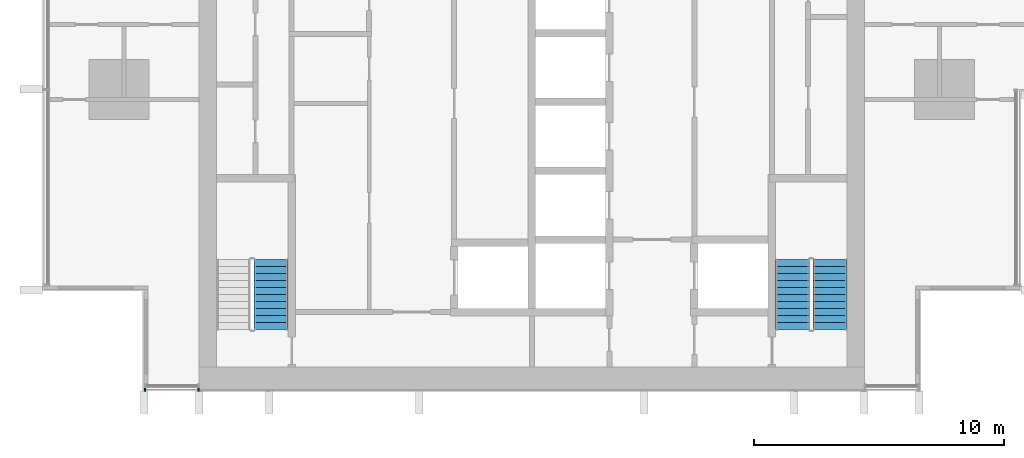
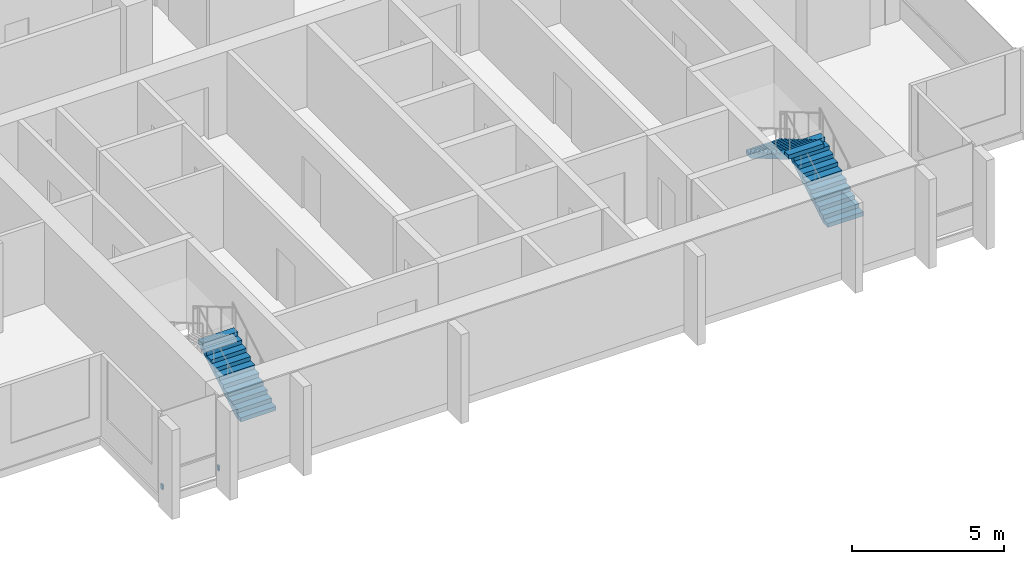
# One storey, part 12 of 17: 3 stair flights, 2 discrete accessories, 2 elements without a shape of their own.
"""IFC4 building model written with IfcOpenShell, lengths in metres."""

from ifc_helpers import new_model, si_unit, direction, frame, origin, origin_2d, place, context, subcontext, project, spatial, polyline, rectangle, outline, extrude, material, type_object, element, aggregate, save


model = new_model("IFC4")

# Units and contexts
model_context = context("Model", 3, precision=1e-05, world=origin(), true_north=direction((0.0, 1.0)))
body_context = subcontext(model_context, "Body", "Model", "MODEL_VIEW")
ifc_project = project(units=[si_unit("LENGTHUNIT", "METRE"), si_unit("AREAUNIT", "SQUARE_METRE"), si_unit("VOLUMEUNIT", "CUBIC_METRE"), si_unit("PLANEANGLEUNIT", "RADIAN"), si_unit("MASSUNIT", "GRAM", prefix="KILO")], contexts=[model_context])

# Site, building, storey
site_placement = place(None, origin())
site = spatial("IfcSite", under=ifc_project, at=site_placement, CompositionType="ELEMENT")
building_placement = place(site_placement, origin())
building = spatial("IfcBuilding", under=site, at=building_placement, Name="Finial Court Residences", CompositionType="ELEMENT")
storey_placement = place(building_placement, frame((0.0, 0.0, 192.5)))
storey = spatial("IfcBuildingStorey", under=building, at=storey_placement, Name="L48", CompositionType="ELEMENT", Elevation=192.5)

# Stair, stair flight
ifc_material_1 = material(Name="Concrete C50/60", Category="concrete")
stair_type = type_object("IfcStairType", Name="Exit stair 22 risers of 163.6 mm", PredefinedType="HALF_TURN_STAIR", material=ifc_material_1)
stair_1_placement = place(storey_placement, origin())
stair_1 = element("IfcStair", 1, at=stair_1_placement, inside=storey, type_object=stair_type, Name="L48 Exit stair ST-1", PredefinedType="HALF_TURN_STAIR")
stair_flight_type = type_object("IfcStairFlightType", Name="Exit stair flight", PredefinedType="STRAIGHT", material=ifc_material_1)
stair_flight_1_placement = place(storey_placement, frame((-10.425048828125, -23.10009765625, 0.0), z_axis=(0.0, 0.0, 1.0), x_axis=(0.0, 1.0, 0.0)))
stair_flight_1 = element("IfcStairFlight", 2, at=stair_flight_1_placement, type_object=stair_flight_type, Name="ST-1 flight 1", NumberOfRisers=11, NumberOfTreads=10, PredefinedType="STRAIGHT", RiserHeight=0.163636364, TreadLength=0.28, context=body_context, shape_type="SweptSolid", body=[
    extrude(outline(polyline([(0.0, 0.0), (0.0, 0.16357421875), (0.280029296875, 0.16357421875), (0.280029296875, 0.327392578125), (0.56005859375, 0.327392578125), (0.56005859375, 0.490966796875), (0.840087890625, 0.490966796875), (0.840087890625, 0.654541015625), (1.1201171875, 0.654541015625), (1.1201171875, 0.818115234375), (1.39990234375, 0.818115234375), (1.39990234375, 0.98193359375), (1.679931640625, 0.98193359375), (1.679931640625, 1.1455078125), (1.9599609375, 1.1455078125), (1.9599609375, 1.30908203125), (2.239990234375, 1.30908203125), (2.239990234375, 1.47265625), (2.52001953125, 1.47265625), (2.52001953125, 1.636474609375), (2.800048828125, 1.636474609375), (2.800048828125, 1.800048828125), (2.800048828125, 1.462646484375), (0.297119140625, 0.0), (0.0, 0.0)])), frame((0.0, 0.675048828125, 0.0), z_axis=(0.0, -1.0, 0.0), x_axis=(1.0, 0.0, 0.0)), (0.0, 0.0, 1.0), 1.35009765625),
])
aggregate(stair_1, [stair_flight_1])

# Stair, stair flights
stair_2_placement = place(storey_placement, origin())
stair_2 = element("IfcStair", 3, at=stair_2_placement, inside=storey, type_object=stair_type, Name="L48 Exit stair ST-2", PredefinedType="HALF_TURN_STAIR")
stair_flight_2_placement = place(storey_placement, frame((11.925048828125, -23.10009765625, 0.0), z_axis=(0.0, 0.0, 1.0), x_axis=(0.0, 1.0, 0.0)))
stair_flight_2 = element("IfcStairFlight", 4, at=stair_flight_2_placement, type_object=stair_flight_type, Name="ST-2 flight 1", NumberOfRisers=11, NumberOfTreads=10, PredefinedType="STRAIGHT", RiserHeight=0.163636364, TreadLength=0.28, context=body_context, shape_type="SweptSolid", body=[
    extrude(outline(polyline([(0.0, 0.0), (0.0, 0.16357421875), (0.280029296875, 0.16357421875), (0.280029296875, 0.327392578125), (0.56005859375, 0.327392578125), (0.56005859375, 0.490966796875), (0.840087890625, 0.490966796875), (0.840087890625, 0.654541015625), (1.1201171875, 0.654541015625), (1.1201171875, 0.818115234375), (1.39990234375, 0.818115234375), (1.39990234375, 0.98193359375), (1.679931640625, 0.98193359375), (1.679931640625, 1.1455078125), (1.9599609375, 1.1455078125), (1.9599609375, 1.30908203125), (2.239990234375, 1.30908203125), (2.239990234375, 1.47265625), (2.52001953125, 1.47265625), (2.52001953125, 1.636474609375), (2.800048828125, 1.636474609375), (2.800048828125, 1.800048828125), (2.800048828125, 1.462646484375), (0.297119140625, 0.0), (0.0, 0.0)])), frame((0.0, 0.675048828125, 0.0), z_axis=(0.0, -1.0, 0.0), x_axis=(1.0, 0.0, 0.0)), (0.0, 0.0, 1.0), 1.35009765625),
])
stair_flight_3_placement = place(storey_placement, frame((10.425048828125, -20.300048828125, 1.800048828125), z_axis=(0.0, 0.0, 1.0), x_axis=(0.0, -1.0, 0.0)))
stair_flight_3 = element("IfcStairFlight", 5, at=stair_flight_3_placement, type_object=stair_flight_type, Name="ST-2 flight 2", NumberOfRisers=11, NumberOfTreads=10, PredefinedType="STRAIGHT", RiserHeight=0.163636364, TreadLength=0.28, context=body_context, shape_type="SweptSolid", body=[
    extrude(outline(polyline([(0.0, 0.0), (0.0, 0.16357421875), (0.280029296875, 0.16357421875), (0.280029296875, 0.327392578125), (0.56005859375, 0.327392578125), (0.56005859375, 0.490966796875), (0.840087890625, 0.490966796875), (0.840087890625, 0.654541015625), (1.1201171875, 0.654541015625), (1.1201171875, 0.818115234375), (1.39990234375, 0.818115234375), (1.39990234375, 0.98193359375), (1.679931640625, 0.98193359375), (1.679931640625, 1.1455078125), (1.9599609375, 1.1455078125), (1.9599609375, 1.30908203125), (2.239990234375, 1.30908203125), (2.239990234375, 1.47265625), (2.52001953125, 1.47265625), (2.52001953125, 1.636474609375), (2.800048828125, 1.636474609375), (2.800048828125, 1.800048828125), (2.800048828125, 1.462646484375), (0.297119140625, 0.0), (0.0, 0.0)])), frame((0.0, 0.675048828125, 0.0), z_axis=(0.0, -1.0, 0.0), x_axis=(1.0, 0.0, 0.0)), (0.0, 0.0, 1.0), 1.35009765625),
])
aggregate(stair_2, [stair_flight_2, stair_flight_3])

# Discrete accessories
ifc_material_2 = material(Name="Stainless steel 316", Category="steel")
discrete_accessory_type = type_object("IfcDiscreteAccessoryType", Name="Fin bracket, stainless steel 60 x 122 x 200", PredefinedType="BRACKET", material=ifc_material_2)
for number, where, z_axis, x_axis, name in (
    (6, (-15.469970703125, -25.498779296875, 0.2998046875), (0.0, 0.0, 1.0), (1.0, 0.0, 0.0), "E-L48-FIN-S14-BRK"),
    (7, (-13.330078125, -25.498779296875, 0.2998046875), (0.0, 0.0, 1.0), (1.0, 0.0, 0.0), "E-L48-FIN-S15-BRK"),
):
    element("IfcDiscreteAccessory", number, at=place(storey_placement, frame(where, z_axis=z_axis, x_axis=x_axis)), inside=storey, type_object=discrete_accessory_type, Name=name, PredefinedType="BRACKET", context=body_context, shape_type="SweptSolid", body=[
        extrude(rectangle(XDim=0.06005859375, YDim=0.12255859375, at=origin_2d()), origin(), (0.0, 0.0, 1.0), 0.199951171875),
    ])

save(model, "model.ifc")
